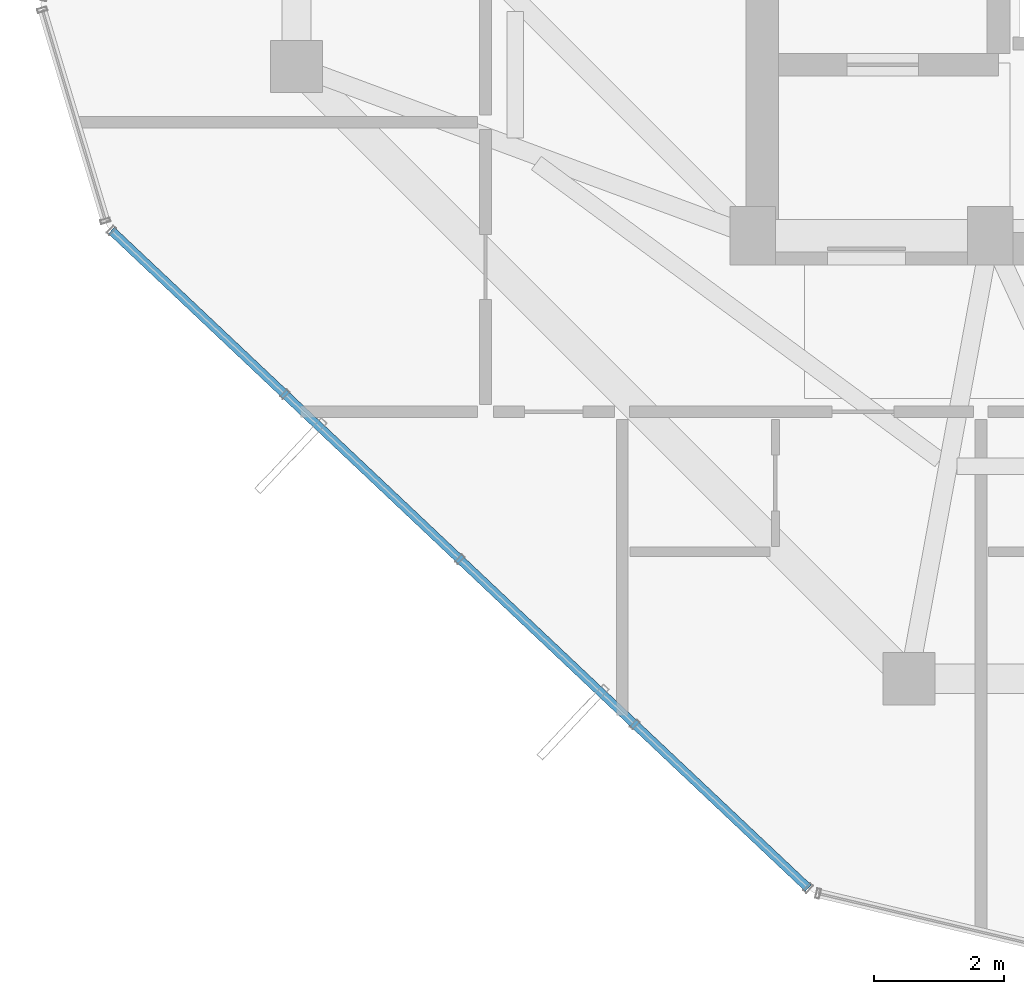
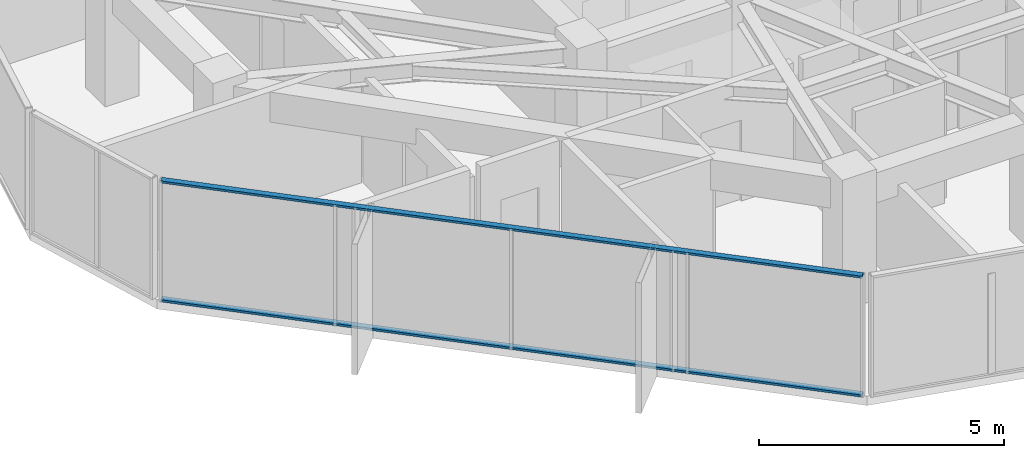
# One storey, part 3 of 28: 2 members, 1 element without a shape of its own.
"""IFC4 building model written with IfcOpenShell, lengths in metres."""

from ifc_helpers import new_model, si_unit, direction, frame, origin, origin_2d, place, context, subcontext, project, spatial, hollow_rectangle, extrude, source, transform, mapped, material, layer, layer_set, material_profile, profile_set, type_object, element, aggregate, save


model = new_model("IFC4")

# Units and contexts
model_context = context("Model", 3, precision=1e-05, world=origin(), true_north=direction((0.0, 1.0)))
body_context = subcontext(model_context, "Body", "Model", "MODEL_VIEW")
ifc_project = project(units=[si_unit("LENGTHUNIT", "METRE"), si_unit("AREAUNIT", "SQUARE_METRE"), si_unit("VOLUMEUNIT", "CUBIC_METRE"), si_unit("PLANEANGLEUNIT", "RADIAN"), si_unit("MASSUNIT", "GRAM", prefix="KILO")], contexts=[model_context])

# Site, building, storey
site_placement = place(None, origin())
site = spatial("IfcSite", under=ifc_project, at=site_placement, CompositionType="ELEMENT")
building_placement = place(site_placement, origin())
building = spatial("IfcBuilding", under=site, at=building_placement, Name="Veraguas Prism Commons", CompositionType="ELEMENT")
storey_placement = place(building_placement, frame((0.0, 0.0, 254.5)))
storey = spatial("IfcBuildingStorey", under=building, at=storey_placement, Name="L72", CompositionType="ELEMENT", Elevation=254.5)

# Curtain wall, members
ifc_material = material(Name="Anodised aluminium EN AW-6063 T6", Category="aluminium")
ifc_layer = layer(ifc_material, 0.14990234375, Name="Unitised Flush Curtain Wall Zone 4", Category="aluminium")
ifc_layer_set = layer_set([ifc_layer], Name="Anodised aluminium EN AW-6063 T6")
curtain_wall_type = type_object("IfcCurtainWallType", Name="Unitised Flush Curtain Wall Zone 4", PredefinedType="NOTDEFINED", material=ifc_layer_set)
curtain_wall_placement = place(storey_placement, origin())
curtain_wall = element("IfcCurtainWall", 1, at=curtain_wall_placement, inside=storey, type_object=curtain_wall_type, Name="Tower Facade Curtain Wall L72-F4", PredefinedType="NOTDEFINED")
ifc_material_profile = material_profile(ifc_material, hollow_rectangle(XDim=0.054931640625, YDim=0.135009765625, WallThickness=0.0029296875, at=origin_2d()), Name="AL55X135X3")
ifc_profile_set = profile_set([ifc_material_profile], Name="Anodised aluminium EN AW-6063 T6")
member_type = type_object("IfcMemberType", Name="Curtain Wall Transom Standard AL 55x135x3", PredefinedType="USERDEFINED", material=ifc_profile_set)
shared_shape = source(origin(), body_context, "Body", "SweptSolid", [
    extrude(hollow_rectangle(XDim=0.054931640625, YDim=0.135009765625, WallThickness=0.0029296875, at=origin_2d()), origin(), (0.0, 0.0, 1.0), 14.706298828125),
])
member_1_placement = place(storey_placement, frame((7.35888671875, 17.079345703125, 0.027587890625), z_axis=(0.727295770641, -0.686324166854, 0.0), x_axis=(0.0, 0.0, 1.0)))
member_1 = element("IfcMember", 2, at=member_1_placement, type_object=member_type, Name="CW-Z4 Transom 1", ObjectType="TRANSOM", PredefinedType="USERDEFINED", context=body_context, shape_type="MappedRepresentation", body=[
    mapped(shared_shape, transform((0.0, 0.0, 0.0), scale=1.0)),
])
member_2_placement = place(storey_placement, frame((7.35888671875, 17.079345703125, 2.987548828125), z_axis=(0.727295770641, -0.686324166854, 0.0), x_axis=(0.0, 0.0, 1.0)))
member_2 = element("IfcMember", 3, at=member_2_placement, type_object=member_type, Name="CW-Z4 Transom 2", ObjectType="TRANSOM", PredefinedType="USERDEFINED", context=body_context, shape_type="MappedRepresentation", body=[
    mapped(shared_shape, transform((0.0, 0.0, 0.0), scale=1.0)),
])
aggregate(curtain_wall, [member_1, member_2])

save(model, "model.ifc")
